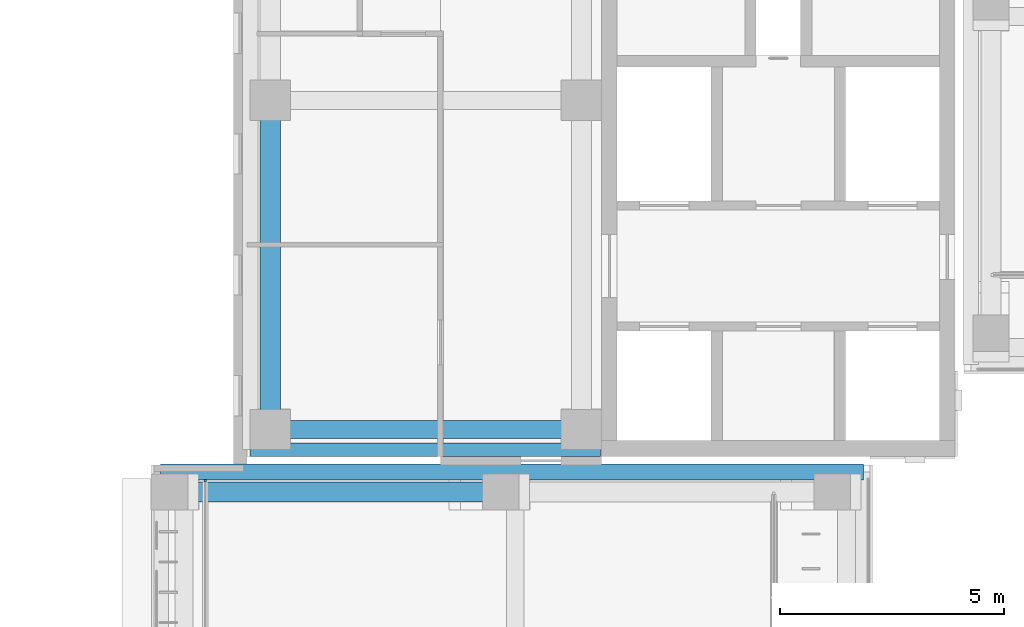
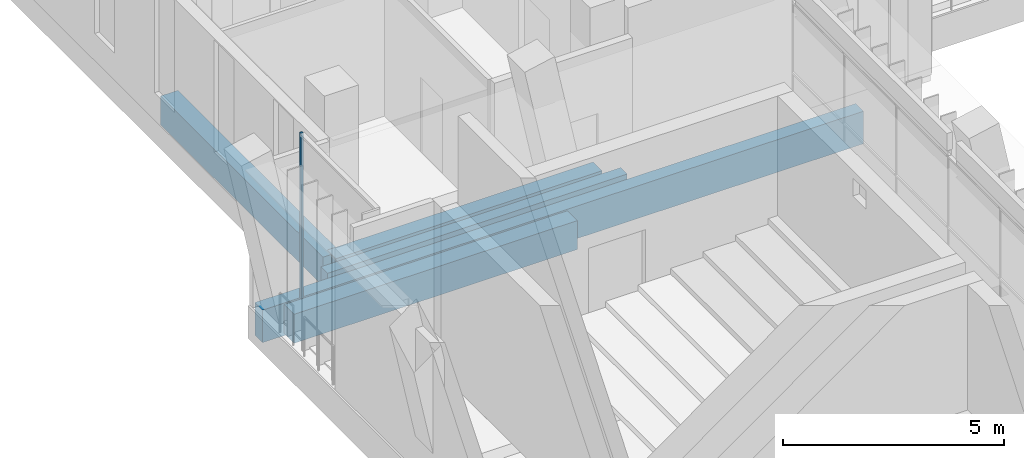
# One storey, part 67 of 141: 5 beams, 1 member, 1 element without a shape of its own.
"""IFC4 building model written with IfcOpenShell, lengths in metres."""

from ifc_helpers import new_model, si_unit, direction, frame, origin, origin_2d, place, context, subcontext, project, spatial, rectangle, extrude, material, material_profile, profile_set, type_object, element, aggregate, save


model = new_model("IFC4")

# Units and contexts
model_context = context("Model", 3, precision=1e-05, world=origin(), true_north=direction((0.0, 1.0)))
body_context = subcontext(model_context, "Body", "Model", "MODEL_VIEW")
ifc_project = project(units=[si_unit("LENGTHUNIT", "METRE"), si_unit("AREAUNIT", "SQUARE_METRE"), si_unit("VOLUMEUNIT", "CUBIC_METRE"), si_unit("PLANEANGLEUNIT", "RADIAN"), si_unit("MASSUNIT", "GRAM", prefix="KILO")], contexts=[model_context])

# Site, building, storey
site_placement = place(None, origin())
site = spatial("IfcSite", under=ifc_project, at=site_placement, CompositionType="ELEMENT")
building_placement = place(site_placement, origin())
building = spatial("IfcBuilding", under=site, at=building_placement, Name="Lantern Court Media Centre", CompositionType="ELEMENT")
storey_placement = place(building_placement, frame((0.0, 0.0, 9.60009765625)))
storey = spatial("IfcBuildingStorey", under=building, at=storey_placement, Name="L02", CompositionType="ELEMENT", Elevation=9.60009765625)

# Curtain wall, member
ifc_material_1 = material(Name="Curtain wall bay 3000")
curtain_wall_type = type_object("IfcCurtainWallType", Name="Curtain wall bay 3000", PredefinedType="NOTDEFINED", material=ifc_material_1)
curtain_wall_placement = place(storey_placement, origin())
curtain_wall = element("IfcCurtainWall", 1, at=curtain_wall_placement, inside=storey, type_object=curtain_wall_type, Name="Curtain wall W outer L02", PredefinedType="NOTDEFINED")
ifc_material_2 = material(Name="Anodised aluminium", Category="aluminium")
ifc_material_profile_1 = material_profile(ifc_material_2, rectangle(XDim=0.06005859375, YDim=0.06005859375, at=origin_2d()), Name="AL 60x60")
ifc_profile_set_1 = profile_set([ifc_material_profile_1], Name="Anodised aluminium")
member_type = type_object("IfcMemberType", Name="Curtain wall mullion 60x60", PredefinedType="MULLION", material=ifc_profile_set_1)
member_placement = place(storey_placement, frame((7.14990234375, 95.550048828125, 0.0), z_axis=(0.0, 0.0, 1.0), x_axis=(-1.0, 0.0, 0.0)))
member = element("IfcMember", 2, at=member_placement, type_object=member_type, Name="CW1 mullion 2", PredefinedType="MULLION", context=body_context, shape_type="SweptSolid", body=[
    extrude(rectangle(XDim=0.06005859375, YDim=0.06005859375, at=origin_2d()), origin(), (0.0, 0.0, 1.0), 4.579833984375),
])
aggregate(curtain_wall, [member])

# Beams
ifc_material_3 = material(Name="Concrete C35", Category="concrete")
ifc_material_profile_2 = material_profile(ifc_material_3, rectangle(XDim=0.300048828125, YDim=0.89990234375, at=origin_2d()), Name="RC 300x900")
ifc_profile_set_2 = profile_set([ifc_material_profile_2], Name="Concrete C35")
beam_type_1 = type_object("IfcBeamType", Name="RC BEAM 300x900", PredefinedType="BEAM", material=ifc_profile_set_2)
beam_1_placement = place(storey_placement, frame((8.14990234375, 96.25, -0.4501953125), z_axis=(1.0, 0.0, 0.0), x_axis=(0.0, 1.0, 0.0)))
element("IfcBeam", 3, at=beam_1_placement, inside=storey, type_object=beam_type_1, Name="EB-NW-L02-S", PredefinedType="BEAM", context=body_context, shape_type="SweptSolid", body=[
    extrude(rectangle(XDim=0.300048828125, YDim=0.89990234375, at=origin_2d()), origin(), (0.0, 0.0, 1.0), 7.830078125),
])
ifc_material_profile_3 = material_profile(ifc_material_3, rectangle(XDim=0.35009765625, YDim=0.89990234375, at=origin_2d()), Name="RC 350x900")
ifc_profile_set_3 = profile_set([ifc_material_profile_3], Name="Concrete C35")
beam_type_2 = type_object("IfcBeamType", Name="RC BEAM 350x900", PredefinedType="BEAM", material=ifc_profile_set_3)
beam_2_placement = place(storey_placement, frame((6.14990234375, 95.75, -0.4501953125), z_axis=(1.0, 0.0, 0.0), x_axis=(0.0, 1.0, 0.0)))
element("IfcBeam", 4, at=beam_2_placement, inside=storey, type_object=beam_type_2, Name="EB-W-L02-D", PredefinedType="BEAM", context=body_context, shape_type="SweptSolid", body=[
    extrude(rectangle(XDim=0.35009765625, YDim=0.89990234375, at=origin_2d()), origin(), (0.0, 0.0, 1.0), 15.7001953125),
])
ifc_material_profile_4 = material_profile(ifc_material_3, rectangle(XDim=0.39990234375, YDim=0.800048828125, at=origin_2d()), Name="RC 400x800")
ifc_profile_set_4 = profile_set([ifc_material_profile_4], Name="Concrete C35")
beam_type_3 = type_object("IfcBeamType", Name="RC BEAM 400x800", PredefinedType="BEAM", material=ifc_profile_set_4)
beam_3_placement = place(storey_placement, frame((8.60009765625, 96.699951171875, -0.400146484375), z_axis=(1.0, 0.0, 0.0), x_axis=(0.0, 1.0, 0.0)))
element("IfcBeam", 5, at=beam_3_placement, inside=storey, type_object=beam_type_3, Name="BB-NW-L02-Y0-96", PredefinedType="BEAM", context=body_context, shape_type="SweptSolid", body=[
    extrude(rectangle(XDim=0.39990234375, YDim=0.800048828125, at=origin_2d()), origin(), (0.0, 0.0, 1.0), 6.949951171875),
])
ifc_material_profile_5 = material_profile(ifc_material_3, rectangle(XDim=0.449951171875, YDim=0.800048828125, at=origin_2d()), Name="RC 450x800")
ifc_profile_set_5 = profile_set([ifc_material_profile_5], Name="Concrete C35")
beam_type_4 = type_object("IfcBeamType", Name="RC BEAM 450x800", PredefinedType="BEAM", material=ifc_profile_set_5)
beam_4_placement = place(storey_placement, frame((8.60009765625, 96.699951171875, -0.400146484375), z_axis=(0.0, 1.0, 0.0), x_axis=(-1.0, 0.0, 0.0)))
element("IfcBeam", 6, at=beam_4_placement, inside=storey, type_object=beam_type_4, Name="BB-NW-L02-X0-8", PredefinedType="BEAM", context=body_context, shape_type="SweptSolid", body=[
    extrude(rectangle(XDim=0.449951171875, YDim=0.800048828125, at=origin_2d()), origin(), (0.0, 0.0, 1.0), 7.35009765625),
])
beam_5_placement = place(storey_placement, frame((6.683349609375, 95.300048828125, -0.400146484375), z_axis=(1.0, 0.0, 0.0), x_axis=(0.0, 1.0, 0.0)))
element("IfcBeam", 7, at=beam_5_placement, inside=storey, type_object=beam_type_4, Name="TB-W-L02-4-1", PredefinedType="BEAM", context=body_context, shape_type="SweptSolid", body=[
    extrude(rectangle(XDim=0.449951171875, YDim=0.800048828125, at=origin_2d()), origin(), (0.0, 0.0, 1.0), 7.39990234375),
])

save(model, "model.ifc")
